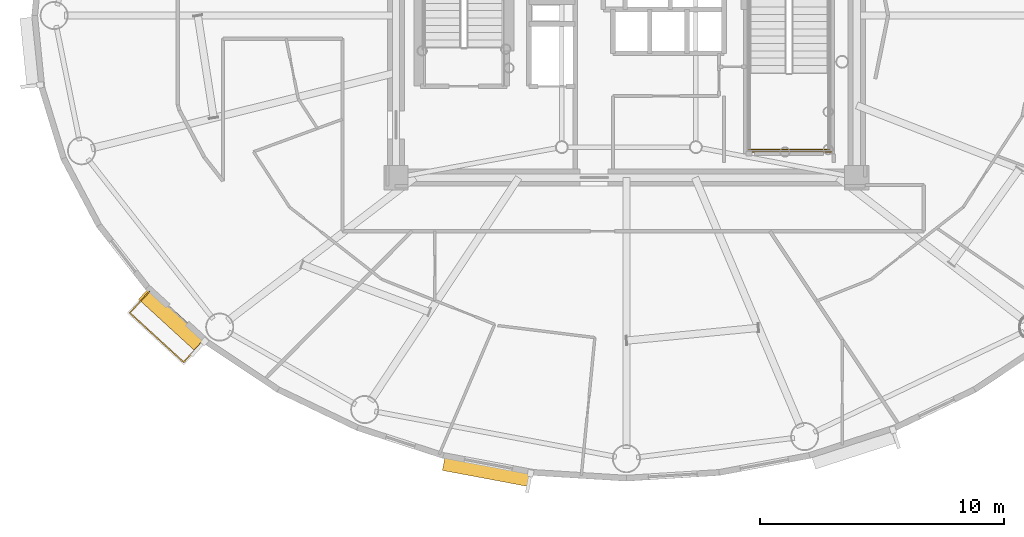
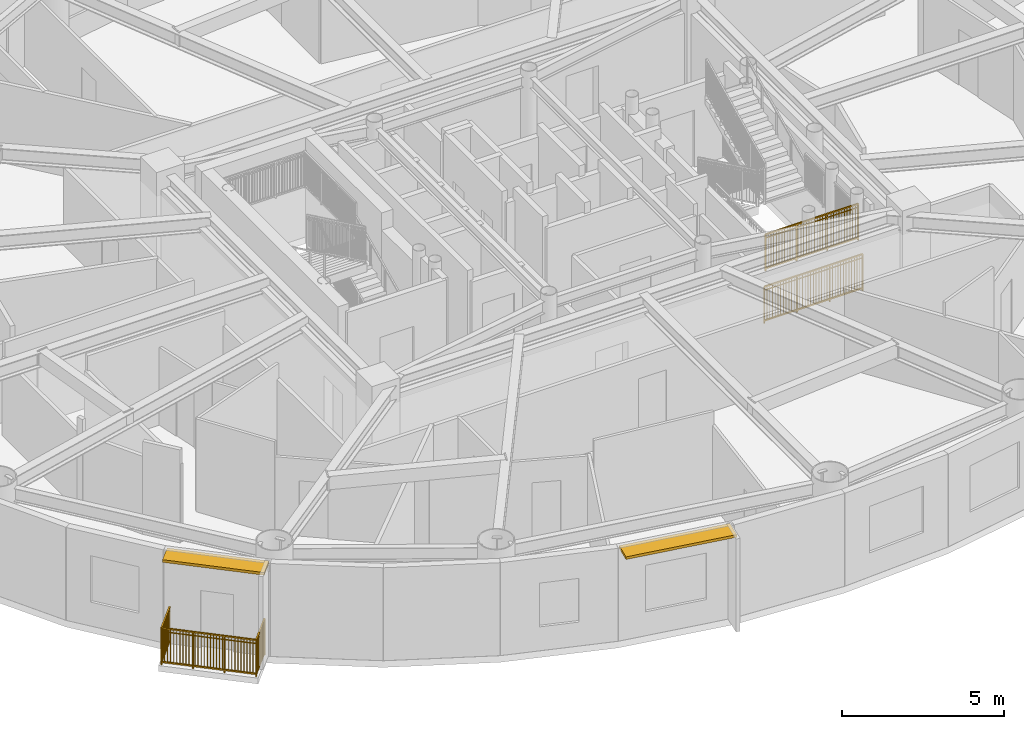
# One storey, part 13 of 19: 3 railings, 2 shading devices.
"""IFC4 building model written with IfcOpenShell, lengths in metres."""

from ifc_helpers import new_model, si_unit, direction, frame, origin, origin_2d, place, context, subcontext, project, spatial, rectangle, extrude, source, transform, mapped, material, layer, layer_set, type_object, element, save


model = new_model("IFC4")

# Units and contexts
model_context = context("Model", 3, precision=1e-05, world=origin(), true_north=direction((0.0, 1.0)))
body_context = subcontext(model_context, "Body", "Model", "MODEL_VIEW")
ifc_project = project(units=[si_unit("LENGTHUNIT", "METRE"), si_unit("AREAUNIT", "SQUARE_METRE"), si_unit("VOLUMEUNIT", "CUBIC_METRE"), si_unit("PLANEANGLEUNIT", "RADIAN"), si_unit("MASSUNIT", "GRAM", prefix="KILO")], contexts=[model_context])

# Site, building, storey
site_placement = place(None, origin())
site = spatial("IfcSite", under=ifc_project, at=site_placement, CompositionType="ELEMENT")
building_placement = place(site_placement, origin())
building = spatial("IfcBuilding", under=site, at=building_placement, Name="Linh Dai School and Residence Tower", CompositionType="ELEMENT")
storey_placement = place(building_placement, frame((0.0, 0.0, 247.800048828125)))
storey = spatial("IfcBuildingStorey", under=building, at=storey_placement, Name="L61", CompositionType="ELEMENT", Elevation=247.800048828125)

# Shading devices
ifc_material_1 = material(Name="Terracotta Ceramic Sunshade", Category="masonry")
ifc_layer = layer(ifc_material_1, 0.10009765625)
ifc_layer_set = layer_set([ifc_layer], Name="Terracotta Ceramic Sunshade")
shading_device_type = type_object("IfcShadingDeviceType", Name="SHD-TC-650", PredefinedType="USERDEFINED", material=ifc_layer_set)
shared_shape_1 = source(origin(), body_context, "Body", "SweptSolid", [
    extrude(rectangle(XDim=3.219482421875, YDim=0.64990234375, at=origin_2d()), origin(), (0.0, 0.0, 1.0), 0.10009765625),
])
shading_device_1_placement = place(storey_placement, frame((17.39501953125, 14.51220703125, 3.3798828125), z_axis=(0.0, 0.0, 1.0), x_axis=(-0.737125300096, 0.675756089102, 0.0)))
element("IfcShadingDevice", 1, at=shading_device_1_placement, inside=storey, type_object=shading_device_type, Name="L61 Terracotta Horizontal Sunshade Band 25", ObjectType="SUNSHADE", PredefinedType="USERDEFINED", context=body_context, shape_type="MappedRepresentation", body=[
    mapped(shared_shape_1, transform((0.0, 0.0, 0.0), x_axis=(1.0, 0.0, 0.0), y_axis=(0.0, 1.0, 0.0), z_axis=(0.0, 0.0, 1.0), scale=1.0)),
])
shared_shape_2 = source(origin(), body_context, "Body", "SweptSolid", [
    extrude(rectangle(XDim=3.62158203125, YDim=0.64990234375, at=origin_2d()), origin(), (0.0, 0.0, 1.0), 0.10009765625),
])
shading_device_2_placement = place(storey_placement, frame((30.2919921875, 8.32275390625, 3.3798828125), z_axis=(0.0, 0.0, 1.0), x_axis=(-0.982786586765, 0.18474448537, 0.0)))
element("IfcShadingDevice", 2, at=shading_device_2_placement, inside=storey, type_object=shading_device_type, Name="L61 Terracotta Horizontal Sunshade Band 29", ObjectType="SUNSHADE", PredefinedType="USERDEFINED", context=body_context, shape_type="MappedRepresentation", body=[
    mapped(shared_shape_2, transform((0.0, 0.0, 0.0), x_axis=(1.0, 0.0, 0.0), y_axis=(0.0, 1.0, 0.0), z_axis=(0.0, 0.0, 1.0), scale=1.0)),
])

# Railings
ifc_material_2 = material(Name="Structural Steel S355JR", Category="steel")
railing_type_1 = type_object("IfcRailingType", Name="RL-BAL-1400", PredefinedType="BALUSTRADE", material=ifc_material_2)
shared_shape_3 = source(origin(), body_context, "Body", "SweptSolid", [
    extrude(rectangle(XDim=0.048095703125, YDim=0.048095703125, at=origin_2d()), frame((0.0, 0.0, 1.3759765625), z_axis=(-0.675715259685, -0.737162728187, 0.0), x_axis=(0.737162728187, -0.675715259685, 0.0)), (0.0, 0.0, 1.0), 1.179931640625),
    extrude(rectangle(XDim=0.048095703125, YDim=0.048095703125, at=origin_2d()), frame((0.0, 0.0, 0.10009765625), z_axis=(-0.675715259685, -0.737162728187, 0.0), x_axis=(0.737162728187, -0.675715259685, 0.0)), (0.0, 0.0, 1.0), 1.179931640625),
    extrude(rectangle(XDim=0.030029296875, YDim=0.030029296875, at=origin_2d()), frame((0.0, 0.0, 1.239990234375), z_axis=(-0.675715259685, -0.737162728187, 0.0), x_axis=(0.737162728187, -0.675715259685, 0.0)), (0.0, 0.0, 1.0), 1.179931640625),
    extrude(rectangle(XDim=0.02001953125, YDim=0.02001953125, at=origin_2d()), frame((-0.061279296875, -0.06689453125, 0.10009765625)), (0.0, 0.0, 1.0), 1.251708984375),
    extrude(rectangle(XDim=0.02001953125, YDim=0.02001953125, at=origin_2d()), frame((-0.12255859375, -0.1337890625, 0.10009765625)), (0.0, 0.0, 1.0), 1.251708984375),
    extrude(rectangle(XDim=0.02001953125, YDim=0.02001953125, at=origin_2d()), frame((-0.18408203125, -0.20068359375, 0.10009765625)), (0.0, 0.0, 1.0), 1.251708984375),
    extrude(rectangle(XDim=0.02001953125, YDim=0.02001953125, at=origin_2d()), frame((-0.245361328125, -0.267578125, 0.10009765625)), (0.0, 0.0, 1.0), 1.251708984375),
    extrude(rectangle(XDim=0.02001953125, YDim=0.02001953125, at=origin_2d()), frame((-0.306640625, -0.33447265625, 0.10009765625)), (0.0, 0.0, 1.0), 1.251708984375),
    extrude(rectangle(XDim=0.02001953125, YDim=0.02001953125, at=origin_2d()), frame((-0.367919921875, -0.4013671875, 0.10009765625)), (0.0, 0.0, 1.0), 1.251708984375),
    extrude(rectangle(XDim=0.02001953125, YDim=0.02001953125, at=origin_2d()), frame((-0.429443359375, -0.468505859375, 0.10009765625)), (0.0, 0.0, 1.0), 1.251708984375),
    extrude(rectangle(XDim=0.02001953125, YDim=0.02001953125, at=origin_2d()), frame((-0.49072265625, -0.535400390625, 0.10009765625)), (0.0, 0.0, 1.0), 1.251708984375),
    extrude(rectangle(XDim=0.02001953125, YDim=0.02001953125, at=origin_2d()), frame((-0.552001953125, -0.602294921875, 0.10009765625)), (0.0, 0.0, 1.0), 1.251708984375),
    extrude(rectangle(XDim=0.02001953125, YDim=0.02001953125, at=origin_2d()), frame((-0.61328125, -0.669189453125, 0.10009765625)), (0.0, 0.0, 1.0), 1.251708984375),
    extrude(rectangle(XDim=0.02001953125, YDim=0.02001953125, at=origin_2d()), frame((-0.6748046875, -0.736083984375, 0.10009765625)), (0.0, 0.0, 1.0), 1.251708984375),
    extrude(rectangle(XDim=0.02001953125, YDim=0.02001953125, at=origin_2d()), frame((-0.736083984375, -0.802978515625, 0.10009765625)), (0.0, 0.0, 1.0), 1.251708984375),
    extrude(rectangle(XDim=0.048095703125, YDim=0.048095703125, at=origin_2d()), frame((-0.79736328125, -0.869873046875, 1.3759765625), z_axis=(-0.737143984648, 0.675735707135, 0.0), x_axis=(-0.675735707135, -0.737143984648, 0.0)), (0.0, 0.0, 1.0), 2.99365234375),
    extrude(rectangle(XDim=0.048095703125, YDim=0.048095703125, at=origin_2d()), frame((-0.79736328125, -0.869873046875, 0.10009765625), z_axis=(-0.737143984648, 0.675735707135, 0.0), x_axis=(-0.675735707135, -0.737143984648, 0.0)), (0.0, 0.0, 1.0), 2.99365234375),
    extrude(rectangle(XDim=0.030029296875, YDim=0.030029296875, at=origin_2d()), frame((-0.79736328125, -0.869873046875, 1.239990234375), z_axis=(-0.737143984648, 0.675735707135, 0.0), x_axis=(-0.675735707135, -0.737143984648, 0.0)), (0.0, 0.0, 1.0), 2.99365234375),
    extrude(rectangle(XDim=0.02001953125, YDim=0.02001953125, at=origin_2d()), frame((-0.86865234375, -0.8046875, 0.10009765625)), (0.0, 0.0, 1.0), 1.251708984375),
    extrude(rectangle(XDim=0.02001953125, YDim=0.02001953125, at=origin_2d()), frame((-0.939697265625, -0.7392578125, 0.10009765625)), (0.0, 0.0, 1.0), 1.251708984375),
    extrude(rectangle(XDim=0.02001953125, YDim=0.02001953125, at=origin_2d()), frame((-1.010986328125, -0.674072265625, 0.10009765625)), (0.0, 0.0, 1.0), 1.251708984375),
    extrude(rectangle(XDim=0.02001953125, YDim=0.02001953125, at=origin_2d()), frame((-1.08203125, -0.60888671875, 0.10009765625)), (0.0, 0.0, 1.0), 1.251708984375),
    extrude(rectangle(XDim=0.02001953125, YDim=0.02001953125, at=origin_2d()), frame((-1.1533203125, -0.543701171875, 0.10009765625)), (0.0, 0.0, 1.0), 1.251708984375),
    extrude(rectangle(XDim=0.02001953125, YDim=0.02001953125, at=origin_2d()), frame((-1.224365234375, -0.478271484375, 0.10009765625)), (0.0, 0.0, 1.0), 1.251708984375),
    extrude(rectangle(XDim=0.02001953125, YDim=0.02001953125, at=origin_2d()), frame((-1.295654296875, -0.4130859375, 0.10009765625)), (0.0, 0.0, 1.0), 1.251708984375),
    extrude(rectangle(XDim=0.02001953125, YDim=0.02001953125, at=origin_2d()), frame((-1.366943359375, -0.347900390625, 0.10009765625)), (0.0, 0.0, 1.0), 1.251708984375),
    extrude(rectangle(XDim=0.02001953125, YDim=0.02001953125, at=origin_2d()), frame((-1.43798828125, -0.282470703125, 0.10009765625)), (0.0, 0.0, 1.0), 1.251708984375),
    extrude(rectangle(XDim=0.02001953125, YDim=0.02001953125, at=origin_2d()), frame((-1.580322265625, -0.152099609375, 0.10009765625)), (0.0, 0.0, 1.0), 1.251708984375),
    extrude(rectangle(XDim=0.02001953125, YDim=0.02001953125, at=origin_2d()), frame((-1.651611328125, -0.0869140625, 0.10009765625)), (0.0, 0.0, 1.0), 1.251708984375),
    extrude(rectangle(XDim=0.02001953125, YDim=0.02001953125, at=origin_2d()), frame((-1.722900390625, -0.021484375, 0.10009765625)), (0.0, 0.0, 1.0), 1.251708984375),
    extrude(rectangle(XDim=0.02001953125, YDim=0.02001953125, at=origin_2d()), frame((-1.7939453125, 0.043701171875, 0.10009765625)), (0.0, 0.0, 1.0), 1.251708984375),
    extrude(rectangle(XDim=0.02001953125, YDim=0.02001953125, at=origin_2d()), frame((-1.865234375, 0.10888671875, 0.10009765625)), (0.0, 0.0, 1.0), 1.251708984375),
    extrude(rectangle(XDim=0.02001953125, YDim=0.02001953125, at=origin_2d()), frame((-1.936279296875, 0.17431640625, 0.10009765625)), (0.0, 0.0, 1.0), 1.251708984375),
    extrude(rectangle(XDim=0.02001953125, YDim=0.02001953125, at=origin_2d()), frame((-2.007568359375, 0.239501953125, 0.10009765625)), (0.0, 0.0, 1.0), 1.251708984375),
    extrude(rectangle(XDim=0.02001953125, YDim=0.02001953125, at=origin_2d()), frame((-2.07861328125, 0.3046875, 0.10009765625)), (0.0, 0.0, 1.0), 1.251708984375),
    extrude(rectangle(XDim=0.02001953125, YDim=0.02001953125, at=origin_2d()), frame((-2.14990234375, 0.3701171875, 0.10009765625)), (0.0, 0.0, 1.0), 1.251708984375),
    extrude(rectangle(XDim=0.02001953125, YDim=0.02001953125, at=origin_2d()), frame((-2.22119140625, 0.435302734375, 0.10009765625)), (0.0, 0.0, 1.0), 1.251708984375),
    extrude(rectangle(XDim=0.02001953125, YDim=0.02001953125, at=origin_2d()), frame((-2.363525390625, 0.565673828125, 0.10009765625)), (0.0, 0.0, 1.0), 1.251708984375),
    extrude(rectangle(XDim=0.02001953125, YDim=0.02001953125, at=origin_2d()), frame((-2.4345703125, 0.631103515625, 0.10009765625)), (0.0, 0.0, 1.0), 1.251708984375),
    extrude(rectangle(XDim=0.02001953125, YDim=0.02001953125, at=origin_2d()), frame((-2.505859375, 0.6962890625, 0.10009765625)), (0.0, 0.0, 1.0), 1.251708984375),
    extrude(rectangle(XDim=0.02001953125, YDim=0.02001953125, at=origin_2d()), frame((-2.5771484375, 0.761474609375, 0.10009765625)), (0.0, 0.0, 1.0), 1.251708984375),
    extrude(rectangle(XDim=0.02001953125, YDim=0.02001953125, at=origin_2d()), frame((-2.648193359375, 0.826904296875, 0.10009765625)), (0.0, 0.0, 1.0), 1.251708984375),
    extrude(rectangle(XDim=0.02001953125, YDim=0.02001953125, at=origin_2d()), frame((-2.719482421875, 0.89208984375, 0.10009765625)), (0.0, 0.0, 1.0), 1.251708984375),
    extrude(rectangle(XDim=0.02001953125, YDim=0.02001953125, at=origin_2d()), frame((-2.79052734375, 0.957275390625, 0.10009765625)), (0.0, 0.0, 1.0), 1.251708984375),
    extrude(rectangle(XDim=0.02001953125, YDim=0.02001953125, at=origin_2d()), frame((-2.86181640625, 1.0224609375, 0.10009765625)), (0.0, 0.0, 1.0), 1.251708984375),
    extrude(rectangle(XDim=0.02001953125, YDim=0.02001953125, at=origin_2d()), frame((-2.932861328125, 1.087890625, 0.10009765625)), (0.0, 0.0, 1.0), 1.251708984375),
    extrude(rectangle(XDim=0.048095703125, YDim=0.048095703125, at=origin_2d()), frame((-3.004150390625, 1.153076171875, 1.3759765625), z_axis=(0.675715259685, 0.737162728187, 0.0), x_axis=(-0.737162728187, 0.675715259685, 0.0)), (0.0, 0.0, 1.0), 1.179931640625),
    extrude(rectangle(XDim=0.048095703125, YDim=0.048095703125, at=origin_2d()), frame((-3.004150390625, 1.153076171875, 0.10009765625), z_axis=(0.675715259685, 0.737162728187, 0.0), x_axis=(-0.737162728187, 0.675715259685, 0.0)), (0.0, 0.0, 1.0), 1.179931640625),
    extrude(rectangle(XDim=0.030029296875, YDim=0.030029296875, at=origin_2d()), frame((-3.004150390625, 1.153076171875, 1.239990234375), z_axis=(0.675715259685, 0.737162728187, 0.0), x_axis=(-0.737162728187, 0.675715259685, 0.0)), (0.0, 0.0, 1.0), 1.179931640625),
    extrude(rectangle(XDim=0.02001953125, YDim=0.02001953125, at=origin_2d()), frame((-2.94287109375, 1.219970703125, 0.10009765625)), (0.0, 0.0, 1.0), 1.251708984375),
    extrude(rectangle(XDim=0.02001953125, YDim=0.02001953125, at=origin_2d()), frame((-2.881591796875, 1.286865234375, 0.10009765625)), (0.0, 0.0, 1.0), 1.251708984375),
    extrude(rectangle(XDim=0.02001953125, YDim=0.02001953125, at=origin_2d()), frame((-2.820068359375, 1.353759765625, 0.10009765625)), (0.0, 0.0, 1.0), 1.251708984375),
    extrude(rectangle(XDim=0.02001953125, YDim=0.02001953125, at=origin_2d()), frame((-2.7587890625, 1.420654296875, 0.10009765625)), (0.0, 0.0, 1.0), 1.251708984375),
    extrude(rectangle(XDim=0.02001953125, YDim=0.02001953125, at=origin_2d()), frame((-2.697509765625, 1.487548828125, 0.10009765625)), (0.0, 0.0, 1.0), 1.251708984375),
    extrude(rectangle(XDim=0.02001953125, YDim=0.02001953125, at=origin_2d()), frame((-2.63623046875, 1.554443359375, 0.10009765625)), (0.0, 0.0, 1.0), 1.251708984375),
    extrude(rectangle(XDim=0.02001953125, YDim=0.02001953125, at=origin_2d()), frame((-2.57470703125, 1.62158203125, 0.10009765625)), (0.0, 0.0, 1.0), 1.251708984375),
    extrude(rectangle(XDim=0.02001953125, YDim=0.02001953125, at=origin_2d()), frame((-2.513427734375, 1.6884765625, 0.10009765625)), (0.0, 0.0, 1.0), 1.251708984375),
    extrude(rectangle(XDim=0.02001953125, YDim=0.02001953125, at=origin_2d()), frame((-2.4521484375, 1.75537109375, 0.10009765625)), (0.0, 0.0, 1.0), 1.251708984375),
    extrude(rectangle(XDim=0.02001953125, YDim=0.02001953125, at=origin_2d()), frame((-2.390869140625, 1.822265625, 0.10009765625)), (0.0, 0.0, 1.0), 1.251708984375),
    extrude(rectangle(XDim=0.02001953125, YDim=0.02001953125, at=origin_2d()), frame((-2.329345703125, 1.88916015625, 0.10009765625)), (0.0, 0.0, 1.0), 1.251708984375),
    extrude(rectangle(XDim=0.02001953125, YDim=0.02001953125, at=origin_2d()), frame((-2.26806640625, 1.9560546875, 0.10009765625)), (0.0, 0.0, 1.0), 1.251708984375),
    extrude(rectangle(XDim=0.0419921875, YDim=0.0419921875, at=origin_2d()), origin(), (0.0, 0.0, 1.0), 1.3759765625),
    extrude(rectangle(XDim=0.0419921875, YDim=0.0419921875, at=origin_2d()), frame((-0.79736328125, -0.869873046875, 0.0)), (0.0, 0.0, 1.0), 1.3759765625),
    extrude(rectangle(XDim=0.0419921875, YDim=0.0419921875, at=origin_2d()), frame((-1.532958984375, -0.195556640625, 0.0)), (0.0, 0.0, 1.0), 1.3759765625),
    extrude(rectangle(XDim=0.0419921875, YDim=0.0419921875, at=origin_2d()), frame((-2.2685546875, 0.478759765625, 0.0)), (0.0, 0.0, 1.0), 1.3759765625),
    extrude(rectangle(XDim=0.0419921875, YDim=0.0419921875, at=origin_2d()), frame((-3.004150390625, 1.153076171875, 0.0)), (0.0, 0.0, 1.0), 1.3759765625),
    extrude(rectangle(XDim=0.0419921875, YDim=0.0419921875, at=origin_2d()), frame((-2.206787109375, 2.02294921875, 0.0)), (0.0, 0.0, 1.0), 1.3759765625),
])
railing_1_placement = place(storey_placement, frame((18.633544921875, 13.648193359375, 0.0)))
element("IfcRailing", 3, at=railing_1_placement, inside=storey, type_object=railing_type_1, Name="L61 Balcony Safety Balustrade 25", PredefinedType="BALUSTRADE", context=body_context, shape_type="MappedRepresentation", body=[
    mapped(shared_shape_3, transform((0.0, 0.0, 0.0), x_axis=(1.0, 0.0, 0.0), y_axis=(0.0, 1.0, 0.0), z_axis=(0.0, 0.0, 1.0), scale=1.0)),
])
railing_type_2 = type_object("IfcRailingType", Name="RL-ST-GUARD-1400", PredefinedType="GUARDRAIL", material=ifc_material_2)
shared_shape_4 = source(origin(), body_context, "Body", "SweptSolid", [
    extrude(rectangle(XDim=0.048095703125, YDim=0.048095703125, at=origin_2d()), frame((0.0, 0.0, 1.3759765625), z_axis=(1.0, 0.0, 0.0), x_axis=(0.0, 1.0, 0.0)), (0.0, 0.0, 1.0), 3.300048828125),
    extrude(rectangle(XDim=0.048095703125, YDim=0.048095703125, at=origin_2d()), frame((0.0, 0.0, 0.10009765625), z_axis=(1.0, 0.0, 0.0), x_axis=(0.0, 1.0, 0.0)), (0.0, 0.0, 1.0), 3.300048828125),
    extrude(rectangle(XDim=0.030029296875, YDim=0.030029296875, at=origin_2d()), frame((0.0, 0.0, 1.239990234375), z_axis=(1.0, 0.0, 0.0), x_axis=(0.0, 1.0, 0.0)), (0.0, 0.0, 1.0), 3.300048828125),
    extrude(rectangle(XDim=0.02001953125, YDim=0.02001953125, at=origin_2d()), frame((0.09716796875, 0.0, 0.10009765625)), (0.0, 0.0, 1.0), 1.251708984375),
    extrude(rectangle(XDim=0.02001953125, YDim=0.02001953125, at=origin_2d()), frame((0.194091796875, 0.0, 0.10009765625)), (0.0, 0.0, 1.0), 1.251708984375),
    extrude(rectangle(XDim=0.02001953125, YDim=0.02001953125, at=origin_2d()), frame((0.291259765625, 0.0, 0.10009765625)), (0.0, 0.0, 1.0), 1.251708984375),
    extrude(rectangle(XDim=0.02001953125, YDim=0.02001953125, at=origin_2d()), frame((0.38818359375, 0.0, 0.10009765625)), (0.0, 0.0, 1.0), 1.251708984375),
    extrude(rectangle(XDim=0.02001953125, YDim=0.02001953125, at=origin_2d()), frame((0.4853515625, 0.0, 0.10009765625)), (0.0, 0.0, 1.0), 1.251708984375),
    extrude(rectangle(XDim=0.02001953125, YDim=0.02001953125, at=origin_2d()), frame((0.582275390625, 0.0, 0.10009765625)), (0.0, 0.0, 1.0), 1.251708984375),
    extrude(rectangle(XDim=0.02001953125, YDim=0.02001953125, at=origin_2d()), frame((0.679443359375, 0.0, 0.10009765625)), (0.0, 0.0, 1.0), 1.251708984375),
    extrude(rectangle(XDim=0.02001953125, YDim=0.02001953125, at=origin_2d()), frame((0.7763671875, 0.0, 0.10009765625)), (0.0, 0.0, 1.0), 1.251708984375),
    extrude(rectangle(XDim=0.02001953125, YDim=0.02001953125, at=origin_2d()), frame((0.87353515625, 0.0, 0.10009765625)), (0.0, 0.0, 1.0), 1.251708984375),
    extrude(rectangle(XDim=0.02001953125, YDim=0.02001953125, at=origin_2d()), frame((0.970703125, 0.0, 0.10009765625)), (0.0, 0.0, 1.0), 1.251708984375),
    extrude(rectangle(XDim=0.02001953125, YDim=0.02001953125, at=origin_2d()), frame((1.164794921875, 0.0, 0.10009765625)), (0.0, 0.0, 1.0), 1.251708984375),
    extrude(rectangle(XDim=0.02001953125, YDim=0.02001953125, at=origin_2d()), frame((1.26171875, 0.0, 0.10009765625)), (0.0, 0.0, 1.0), 1.251708984375),
    extrude(rectangle(XDim=0.02001953125, YDim=0.02001953125, at=origin_2d()), frame((1.35888671875, 0.0, 0.10009765625)), (0.0, 0.0, 1.0), 1.251708984375),
    extrude(rectangle(XDim=0.02001953125, YDim=0.02001953125, at=origin_2d()), frame((1.455810546875, 0.0, 0.10009765625)), (0.0, 0.0, 1.0), 1.251708984375),
    extrude(rectangle(XDim=0.02001953125, YDim=0.02001953125, at=origin_2d()), frame((1.552978515625, 0.0, 0.10009765625)), (0.0, 0.0, 1.0), 1.251708984375),
    extrude(rectangle(XDim=0.02001953125, YDim=0.02001953125, at=origin_2d()), frame((1.64990234375, 0.0, 0.10009765625)), (0.0, 0.0, 1.0), 1.251708984375),
    extrude(rectangle(XDim=0.02001953125, YDim=0.02001953125, at=origin_2d()), frame((1.7470703125, 0.0, 0.10009765625)), (0.0, 0.0, 1.0), 1.251708984375),
    extrude(rectangle(XDim=0.02001953125, YDim=0.02001953125, at=origin_2d()), frame((1.84423828125, 0.0, 0.10009765625)), (0.0, 0.0, 1.0), 1.251708984375),
    extrude(rectangle(XDim=0.02001953125, YDim=0.02001953125, at=origin_2d()), frame((1.941162109375, 0.0, 0.10009765625)), (0.0, 0.0, 1.0), 1.251708984375),
    extrude(rectangle(XDim=0.02001953125, YDim=0.02001953125, at=origin_2d()), frame((2.038330078125, 0.0, 0.10009765625)), (0.0, 0.0, 1.0), 1.251708984375),
    extrude(rectangle(XDim=0.02001953125, YDim=0.02001953125, at=origin_2d()), frame((2.13525390625, 0.0, 0.10009765625)), (0.0, 0.0, 1.0), 1.251708984375),
    extrude(rectangle(XDim=0.02001953125, YDim=0.02001953125, at=origin_2d()), frame((2.329345703125, 0.0, 0.10009765625)), (0.0, 0.0, 1.0), 1.251708984375),
    extrude(rectangle(XDim=0.02001953125, YDim=0.02001953125, at=origin_2d()), frame((2.426513671875, 0.0, 0.10009765625)), (0.0, 0.0, 1.0), 1.251708984375),
    extrude(rectangle(XDim=0.02001953125, YDim=0.02001953125, at=origin_2d()), frame((2.523681640625, 0.0, 0.10009765625)), (0.0, 0.0, 1.0), 1.251708984375),
    extrude(rectangle(XDim=0.02001953125, YDim=0.02001953125, at=origin_2d()), frame((2.62060546875, 0.0, 0.10009765625)), (0.0, 0.0, 1.0), 1.251708984375),
    extrude(rectangle(XDim=0.02001953125, YDim=0.02001953125, at=origin_2d()), frame((2.7177734375, 0.0, 0.10009765625)), (0.0, 0.0, 1.0), 1.251708984375),
    extrude(rectangle(XDim=0.02001953125, YDim=0.02001953125, at=origin_2d()), frame((2.814697265625, 0.0, 0.10009765625)), (0.0, 0.0, 1.0), 1.251708984375),
    extrude(rectangle(XDim=0.02001953125, YDim=0.02001953125, at=origin_2d()), frame((2.911865234375, 0.0, 0.10009765625)), (0.0, 0.0, 1.0), 1.251708984375),
    extrude(rectangle(XDim=0.02001953125, YDim=0.02001953125, at=origin_2d()), frame((3.0087890625, 0.0, 0.10009765625)), (0.0, 0.0, 1.0), 1.251708984375),
    extrude(rectangle(XDim=0.02001953125, YDim=0.02001953125, at=origin_2d()), frame((3.10595703125, 0.0, 0.10009765625)), (0.0, 0.0, 1.0), 1.251708984375),
    extrude(rectangle(XDim=0.02001953125, YDim=0.02001953125, at=origin_2d()), frame((3.202880859375, 0.0, 0.10009765625)), (0.0, 0.0, 1.0), 1.251708984375),
    extrude(rectangle(XDim=0.0419921875, YDim=0.0419921875, at=origin_2d()), origin(), (0.0, 0.0, 1.0), 1.3759765625),
    extrude(rectangle(XDim=0.0419921875, YDim=0.0419921875, at=origin_2d()), frame((1.10009765625, 0.0, 0.0)), (0.0, 0.0, 1.0), 1.3759765625),
    extrude(rectangle(XDim=0.0419921875, YDim=0.0419921875, at=origin_2d()), frame((2.199951171875, 0.0, 0.0)), (0.0, 0.0, 1.0), 1.3759765625),
    extrude(rectangle(XDim=0.0419921875, YDim=0.0419921875, at=origin_2d()), frame((3.300048828125, 0.0, 0.0)), (0.0, 0.0, 1.0), 1.3759765625),
])
railing_2_placement = place(storey_placement, frame((41.02001953125, 21.5, 1.875)))
element("IfcRailing", 4, at=railing_2_placement, inside=storey, type_object=railing_type_2, Name="L61 ST2 stair guard 5", PredefinedType="GUARDRAIL", context=body_context, shape_type="MappedRepresentation", body=[
    mapped(shared_shape_4, transform((0.0, 0.0, 0.0), x_axis=(1.0, 0.0, 0.0), y_axis=(0.0, 1.0, 0.0), z_axis=(0.0, 0.0, 1.0), scale=1.0)),
])
shared_shape_5 = source(origin(), body_context, "Body", "SweptSolid", [
    extrude(rectangle(XDim=0.048095703125, YDim=0.048095703125, at=origin_2d()), frame((0.0, 0.0, 1.3759765625), z_axis=(1.0, 0.0, 0.0), x_axis=(0.0, 1.0, 0.0)), (0.0, 0.0, 1.0), 3.5),
    extrude(rectangle(XDim=0.048095703125, YDim=0.048095703125, at=origin_2d()), frame((0.0, 0.0, 0.10009765625), z_axis=(1.0, 0.0, 0.0), x_axis=(0.0, 1.0, 0.0)), (0.0, 0.0, 1.0), 3.5),
    extrude(rectangle(XDim=0.030029296875, YDim=0.030029296875, at=origin_2d()), frame((0.0, 0.0, 1.239990234375), z_axis=(1.0, 0.0, 0.0), x_axis=(0.0, 1.0, 0.0)), (0.0, 0.0, 1.0), 3.5),
    extrude(rectangle(XDim=0.02001953125, YDim=0.02001953125, at=origin_2d()), frame((0.09716796875, 0.0, 0.10009765625)), (0.0, 0.0, 1.0), 1.251708984375),
    extrude(rectangle(XDim=0.02001953125, YDim=0.02001953125, at=origin_2d()), frame((0.1943359375, 0.0, 0.10009765625)), (0.0, 0.0, 1.0), 1.251708984375),
    extrude(rectangle(XDim=0.02001953125, YDim=0.02001953125, at=origin_2d()), frame((0.291748046875, 0.0, 0.10009765625)), (0.0, 0.0, 1.0), 1.251708984375),
    extrude(rectangle(XDim=0.02001953125, YDim=0.02001953125, at=origin_2d()), frame((0.388916015625, 0.0, 0.10009765625)), (0.0, 0.0, 1.0), 1.251708984375),
    extrude(rectangle(XDim=0.02001953125, YDim=0.02001953125, at=origin_2d()), frame((0.486083984375, 0.0, 0.10009765625)), (0.0, 0.0, 1.0), 1.251708984375),
    extrude(rectangle(XDim=0.02001953125, YDim=0.02001953125, at=origin_2d()), frame((0.583251953125, 0.0, 0.10009765625)), (0.0, 0.0, 1.0), 1.251708984375),
    extrude(rectangle(XDim=0.02001953125, YDim=0.02001953125, at=origin_2d()), frame((0.6806640625, 0.0, 0.10009765625)), (0.0, 0.0, 1.0), 1.251708984375),
    extrude(rectangle(XDim=0.02001953125, YDim=0.02001953125, at=origin_2d()), frame((0.77783203125, 0.0, 0.10009765625)), (0.0, 0.0, 1.0), 1.251708984375),
    extrude(rectangle(XDim=0.02001953125, YDim=0.02001953125, at=origin_2d()), frame((0.875, 0.0, 0.10009765625)), (0.0, 0.0, 1.0), 1.251708984375),
    extrude(rectangle(XDim=0.02001953125, YDim=0.02001953125, at=origin_2d()), frame((0.97216796875, 0.0, 0.10009765625)), (0.0, 0.0, 1.0), 1.251708984375),
    extrude(rectangle(XDim=0.02001953125, YDim=0.02001953125, at=origin_2d()), frame((1.0693359375, 0.0, 0.10009765625)), (0.0, 0.0, 1.0), 1.251708984375),
    extrude(rectangle(XDim=0.02001953125, YDim=0.02001953125, at=origin_2d()), frame((1.263916015625, 0.0, 0.10009765625)), (0.0, 0.0, 1.0), 1.251708984375),
    extrude(rectangle(XDim=0.02001953125, YDim=0.02001953125, at=origin_2d()), frame((1.361083984375, 0.0, 0.10009765625)), (0.0, 0.0, 1.0), 1.251708984375),
    extrude(rectangle(XDim=0.02001953125, YDim=0.02001953125, at=origin_2d()), frame((1.458251953125, 0.0, 0.10009765625)), (0.0, 0.0, 1.0), 1.251708984375),
    extrude(rectangle(XDim=0.02001953125, YDim=0.02001953125, at=origin_2d()), frame((1.5556640625, 0.0, 0.10009765625)), (0.0, 0.0, 1.0), 1.251708984375),
    extrude(rectangle(XDim=0.02001953125, YDim=0.02001953125, at=origin_2d()), frame((1.65283203125, 0.0, 0.10009765625)), (0.0, 0.0, 1.0), 1.251708984375),
    extrude(rectangle(XDim=0.02001953125, YDim=0.02001953125, at=origin_2d()), frame((1.75, 0.0, 0.10009765625)), (0.0, 0.0, 1.0), 1.251708984375),
    extrude(rectangle(XDim=0.02001953125, YDim=0.02001953125, at=origin_2d()), frame((1.84716796875, 0.0, 0.10009765625)), (0.0, 0.0, 1.0), 1.251708984375),
    extrude(rectangle(XDim=0.02001953125, YDim=0.02001953125, at=origin_2d()), frame((1.9443359375, 0.0, 0.10009765625)), (0.0, 0.0, 1.0), 1.251708984375),
    extrude(rectangle(XDim=0.02001953125, YDim=0.02001953125, at=origin_2d()), frame((2.041748046875, 0.0, 0.10009765625)), (0.0, 0.0, 1.0), 1.251708984375),
    extrude(rectangle(XDim=0.02001953125, YDim=0.02001953125, at=origin_2d()), frame((2.138916015625, 0.0, 0.10009765625)), (0.0, 0.0, 1.0), 1.251708984375),
    extrude(rectangle(XDim=0.02001953125, YDim=0.02001953125, at=origin_2d()), frame((2.236083984375, 0.0, 0.10009765625)), (0.0, 0.0, 1.0), 1.251708984375),
    extrude(rectangle(XDim=0.02001953125, YDim=0.02001953125, at=origin_2d()), frame((2.4306640625, 0.0, 0.10009765625)), (0.0, 0.0, 1.0), 1.251708984375),
    extrude(rectangle(XDim=0.02001953125, YDim=0.02001953125, at=origin_2d()), frame((2.52783203125, 0.0, 0.10009765625)), (0.0, 0.0, 1.0), 1.251708984375),
    extrude(rectangle(XDim=0.02001953125, YDim=0.02001953125, at=origin_2d()), frame((2.625, 0.0, 0.10009765625)), (0.0, 0.0, 1.0), 1.251708984375),
    extrude(rectangle(XDim=0.02001953125, YDim=0.02001953125, at=origin_2d()), frame((2.72216796875, 0.0, 0.10009765625)), (0.0, 0.0, 1.0), 1.251708984375),
    extrude(rectangle(XDim=0.02001953125, YDim=0.02001953125, at=origin_2d()), frame((2.8193359375, 0.0, 0.10009765625)), (0.0, 0.0, 1.0), 1.251708984375),
    extrude(rectangle(XDim=0.02001953125, YDim=0.02001953125, at=origin_2d()), frame((2.916748046875, 0.0, 0.10009765625)), (0.0, 0.0, 1.0), 1.251708984375),
    extrude(rectangle(XDim=0.02001953125, YDim=0.02001953125, at=origin_2d()), frame((3.013916015625, 0.0, 0.10009765625)), (0.0, 0.0, 1.0), 1.251708984375),
    extrude(rectangle(XDim=0.02001953125, YDim=0.02001953125, at=origin_2d()), frame((3.111083984375, 0.0, 0.10009765625)), (0.0, 0.0, 1.0), 1.251708984375),
    extrude(rectangle(XDim=0.02001953125, YDim=0.02001953125, at=origin_2d()), frame((3.208251953125, 0.0, 0.10009765625)), (0.0, 0.0, 1.0), 1.251708984375),
    extrude(rectangle(XDim=0.02001953125, YDim=0.02001953125, at=origin_2d()), frame((3.3056640625, 0.0, 0.10009765625)), (0.0, 0.0, 1.0), 1.251708984375),
    extrude(rectangle(XDim=0.02001953125, YDim=0.02001953125, at=origin_2d()), frame((3.40283203125, 0.0, 0.10009765625)), (0.0, 0.0, 1.0), 1.251708984375),
    extrude(rectangle(XDim=0.0419921875, YDim=0.0419921875, at=origin_2d()), origin(), (0.0, 0.0, 1.0), 1.3759765625),
    extrude(rectangle(XDim=0.0419921875, YDim=0.0419921875, at=origin_2d()), frame((1.166748046875, 0.0, 0.0)), (0.0, 0.0, 1.0), 1.3759765625),
    extrude(rectangle(XDim=0.0419921875, YDim=0.0419921875, at=origin_2d()), frame((2.333251953125, 0.0, 0.0)), (0.0, 0.0, 1.0), 1.3759765625),
    extrude(rectangle(XDim=0.0419921875, YDim=0.0419921875, at=origin_2d()), frame((3.5, 0.0, 0.0)), (0.0, 0.0, 1.0), 1.3759765625),
])
railing_3_placement = place(storey_placement, frame((40.919921875, 21.39990234375, 0.0)))
element("IfcRailing", 5, at=railing_3_placement, inside=storey, type_object=railing_type_2, Name="L61 ST2 stair guard 12", PredefinedType="GUARDRAIL", context=body_context, shape_type="MappedRepresentation", body=[
    mapped(shared_shape_5, transform((0.0, 0.0, 0.0), x_axis=(1.0, 0.0, 0.0), y_axis=(0.0, 1.0, 0.0), z_axis=(0.0, 0.0, 1.0), scale=1.0)),
])

save(model, "model.ifc")
